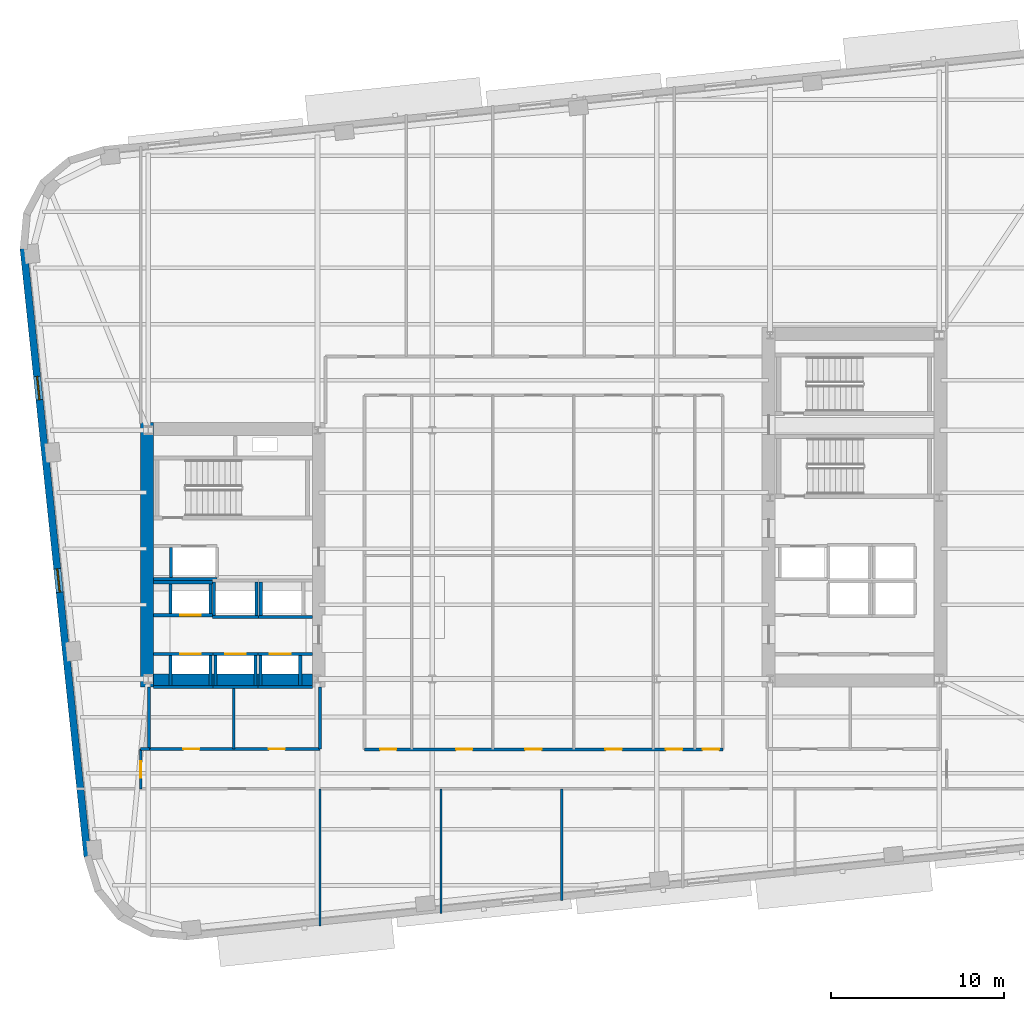
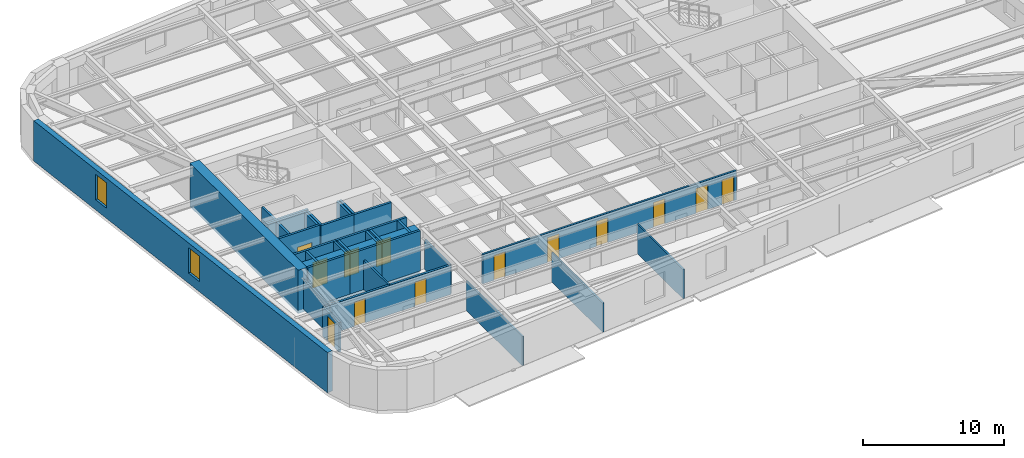
# One storey, part 4 of 13: 36 walls, 13 doors, 2 windows, 15 openings.
"""IFC4 building model written with IfcOpenShell, lengths in metres."""

from ifc_helpers import new_model, si_unit, direction, frame, frame_2d, origin, place, context, subcontext, project, spatial, rectangle, extrude, material, layer, layer_set, type_object, element, fill, save


model = new_model("IFC4")

# Units and contexts
model_context = context("Model", 3, precision=1e-05, world=origin(), true_north=direction((0.0, 1.0)))
body_context = subcontext(model_context, "Body", "Model", "MODEL_VIEW")
ifc_project = project(units=[si_unit("LENGTHUNIT", "METRE"), si_unit("AREAUNIT", "SQUARE_METRE"), si_unit("VOLUMEUNIT", "CUBIC_METRE"), si_unit("PLANEANGLEUNIT", "RADIAN"), si_unit("MASSUNIT", "GRAM", prefix="KILO")], contexts=[model_context])

# Site, building, storey
site_placement = place(None, origin())
site = spatial("IfcSite", under=ifc_project, at=site_placement, CompositionType="ELEMENT")
building_placement = place(site_placement, origin())
building = spatial("IfcBuilding", under=site, at=building_placement, Name="Kolvaren Arena Tower", CompositionType="ELEMENT")
storey_placement = place(building_placement, frame((0.0, 0.0, 145.75)))
storey = spatial("IfcBuildingStorey", under=building, at=storey_placement, Name="L34", CompositionType="ELEMENT", Elevation=145.75)

# Wall, openings, doors
ifc_material_1 = material(Name="Gypsum board acoustic assembly", Category="gypsum")
ifc_layer_1 = layer(ifc_material_1, 0.159912109375)
ifc_layer_set_1 = layer_set([ifc_layer_1], Name="Gypsum board acoustic assembly")
wall_type_1 = type_object("IfcWallType", Name="CORR-160", PredefinedType="PARTITIONING", material=ifc_layer_set_1)
wall_1_placement = place(storey_placement, frame((27.080078125, 15.3798828125, 0.0), z_axis=(0.0, 0.0, 1.0), x_axis=(1.0, 0.0, 0.0)))
wall_1 = element("IfcWall", 1, at=wall_1_placement, inside=storey, type_object=wall_type_1, Name="Interior Partition Wall (L34)", PredefinedType="PARTITIONING", context=body_context, shape_type="SweptSolid", body=[
    extrude(rectangle(XDim=20.739990234375, YDim=0.159912109375, at=frame_2d((10.3701171875, 0.0))), origin(), (0.0, 0.0, 1.0), 2.5400390625),
])
opening_1_placement = place(wall_1_placement, frame((0.89501953125, 0.0, 0.0)))
opening_1 = element("IfcOpeningElement", 2, at=opening_1_placement, cuts=wall_1, Name="Opening D05", PredefinedType="OPENING", context=body_context, shape_type="SweptSolid", body=[
    extrude(rectangle(XDim=0.949951171875, YDim=2.14990234375, at=frame_2d((0.47509765625, 1.074951171875))), frame((0.0, 0.08984375, 0.0), z_axis=(0.0, -1.0, 0.0), x_axis=(1.0, 0.0, 0.0)), (0.0, 0.0, 1.0), 0.179931640625),
])
opening_2_placement = place(wall_1_placement, frame((5.294921875, 0.0, 0.0)))
opening_2 = element("IfcOpeningElement", 3, at=opening_2_placement, cuts=wall_1, Name="Opening D05", PredefinedType="OPENING", context=body_context, shape_type="SweptSolid", body=[
    extrude(rectangle(XDim=0.949951171875, YDim=2.14990234375, at=frame_2d((0.47509765625, 1.074951171875))), frame((0.0, 0.08984375, 0.0), z_axis=(0.0, -1.0, 0.0), x_axis=(1.0, 0.0, 0.0)), (0.0, 0.0, 1.0), 0.179931640625),
])
opening_3_placement = place(wall_1_placement, frame((9.294921875, 0.0, 0.0)))
opening_3 = element("IfcOpeningElement", 4, at=opening_3_placement, cuts=wall_1, Name="Opening D05", PredefinedType="OPENING", context=body_context, shape_type="SweptSolid", body=[
    extrude(rectangle(XDim=0.949951171875, YDim=2.14990234375, at=frame_2d((0.47509765625, 1.074951171875))), frame((0.0, 0.08984375, 0.0), z_axis=(0.0, -1.0, 0.0), x_axis=(1.0, 0.0, 0.0)), (0.0, 0.0, 1.0), 0.179931640625),
])
opening_4_placement = place(wall_1_placement, frame((13.945068359375, 0.0, 0.0)))
opening_4 = element("IfcOpeningElement", 5, at=opening_4_placement, cuts=wall_1, Name="Opening D05", PredefinedType="OPENING", context=body_context, shape_type="SweptSolid", body=[
    extrude(rectangle(XDim=0.949951171875, YDim=2.14990234375, at=frame_2d((0.47509765625, 1.074951171875))), frame((0.0, 0.08984375, 0.0), z_axis=(0.0, -1.0, 0.0), x_axis=(1.0, 0.0, 0.0)), (0.0, 0.0, 1.0), 0.179931640625),
])
opening_5_placement = place(wall_1_placement, frame((17.445068359375, 0.0, 0.0)))
opening_5 = element("IfcOpeningElement", 6, at=opening_5_placement, cuts=wall_1, Name="Opening D05", PredefinedType="OPENING", context=body_context, shape_type="SweptSolid", body=[
    extrude(rectangle(XDim=0.949951171875, YDim=2.14990234375, at=frame_2d((0.47509765625, 1.074951171875))), frame((0.0, 0.08984375, 0.0), z_axis=(0.0, -1.0, 0.0), x_axis=(1.0, 0.0, 0.0)), (0.0, 0.0, 1.0), 0.179931640625),
])
opening_6_placement = place(wall_1_placement, frame((19.570068359375, 0.0, 0.0)))
opening_6 = element("IfcOpeningElement", 7, at=opening_6_placement, cuts=wall_1, Name="Opening D05", PredefinedType="OPENING", context=body_context, shape_type="SweptSolid", body=[
    extrude(rectangle(XDim=0.949951171875, YDim=2.14990234375, at=frame_2d((0.47509765625, 1.074951171875))), frame((0.0, 0.08984375, 0.0), z_axis=(0.0, -1.0, 0.0), x_axis=(1.0, 0.0, 0.0)), (0.0, 0.0, 1.0), 0.179931640625),
])
ifc_material_2 = material(Name="Solid-core oak acoustic office door", Category="wood")
door_type_1 = type_object("IfcDoorType", Name="DOOR-OF-095", OperationType="NOTDEFINED", PredefinedType="DOOR", material=ifc_material_2)
door_1_placement = place(opening_1_placement, origin())
door_1 = element("IfcDoor", 8, at=door_1_placement, inside=storey, type_object=door_type_1, Name="Training Seminar Room Door (L34)", OperationType="SINGLE_SWING_RIGHT", OverallHeight=2.14990234375, OverallWidth=0.949951171875, PredefinedType="DOOR", context=body_context, shape_type="SweptSolid", body=[
    extrude(rectangle(XDim=0.949951171875, YDim=2.14990234375, at=frame_2d((0.47509765625, 1.074951171875))), frame((0.0, 0.02490234375, 0.0), z_axis=(0.0, -1.0, 0.0), x_axis=(1.0, 0.0, 0.0)), (0.0, 0.0, 1.0), 0.050048828125),
])
fill(opening_1, door_1)
door_2_placement = place(opening_2_placement, origin())
door_2 = element("IfcDoor", 9, at=door_2_placement, inside=storey, type_object=door_type_1, Name="Training Seminar Room Door (L34)", OperationType="SINGLE_SWING_RIGHT", OverallHeight=2.14990234375, OverallWidth=0.949951171875, PredefinedType="DOOR", context=body_context, shape_type="SweptSolid", body=[
    extrude(rectangle(XDim=0.949951171875, YDim=2.14990234375, at=frame_2d((0.47509765625, 1.074951171875))), frame((0.0, 0.02490234375, 0.0), z_axis=(0.0, -1.0, 0.0), x_axis=(1.0, 0.0, 0.0)), (0.0, 0.0, 1.0), 0.050048828125),
])
fill(opening_2, door_2)
door_3_placement = place(opening_3_placement, origin())
door_3 = element("IfcDoor", 10, at=door_3_placement, inside=storey, type_object=door_type_1, Name="Boardroom Door (L34)", OperationType="SINGLE_SWING_RIGHT", OverallHeight=2.14990234375, OverallWidth=0.949951171875, PredefinedType="DOOR", context=body_context, shape_type="SweptSolid", body=[
    extrude(rectangle(XDim=0.949951171875, YDim=2.14990234375, at=frame_2d((0.47509765625, 1.074951171875))), frame((0.0, 0.02490234375, 0.0), z_axis=(0.0, -1.0, 0.0), x_axis=(1.0, 0.0, 0.0)), (0.0, 0.0, 1.0), 0.050048828125),
])
fill(opening_3, door_3)
door_4_placement = place(opening_4_placement, origin())
door_4 = element("IfcDoor", 11, at=door_4_placement, inside=storey, type_object=door_type_1, Name="Training Seminar Room Door (L34)", OperationType="SINGLE_SWING_RIGHT", OverallHeight=2.14990234375, OverallWidth=0.949951171875, PredefinedType="DOOR", context=body_context, shape_type="SweptSolid", body=[
    extrude(rectangle(XDim=0.949951171875, YDim=2.14990234375, at=frame_2d((0.47509765625, 1.074951171875))), frame((0.0, 0.02490234375, 0.0), z_axis=(0.0, -1.0, 0.0), x_axis=(1.0, 0.0, 0.0)), (0.0, 0.0, 1.0), 0.050048828125),
])
fill(opening_4, door_4)
door_5_placement = place(opening_5_placement, origin())
door_5 = element("IfcDoor", 12, at=door_5_placement, inside=storey, type_object=door_type_1, Name="Training Seminar Room Door (L34)", OperationType="SINGLE_SWING_RIGHT", OverallHeight=2.14990234375, OverallWidth=0.949951171875, PredefinedType="DOOR", context=body_context, shape_type="SweptSolid", body=[
    extrude(rectangle(XDim=0.949951171875, YDim=2.14990234375, at=frame_2d((0.47509765625, 1.074951171875))), frame((0.0, 0.02490234375, 0.0), z_axis=(0.0, -1.0, 0.0), x_axis=(1.0, 0.0, 0.0)), (0.0, 0.0, 1.0), 0.050048828125),
])
fill(opening_5, door_5)
door_6_placement = place(opening_6_placement, origin())
door_6 = element("IfcDoor", 13, at=door_6_placement, inside=storey, type_object=door_type_1, Name="Boardroom Door (L34)", OperationType="SINGLE_SWING_RIGHT", OverallHeight=2.14990234375, OverallWidth=0.949951171875, PredefinedType="DOOR", context=body_context, shape_type="SweptSolid", body=[
    extrude(rectangle(XDim=0.949951171875, YDim=2.14990234375, at=frame_2d((0.47509765625, 1.074951171875))), frame((0.0, 0.02490234375, 0.0), z_axis=(0.0, -1.0, 0.0), x_axis=(1.0, 0.0, 0.0)), (0.0, 0.0, 1.0), 0.050048828125),
])
fill(opening_6, door_6)

# Wall, opening, door
wall_2_placement = place(storey_placement, frame((14.1201171875, 13.10009765625, 0.0), z_axis=(0.0, 0.0, 1.0), x_axis=(0.0, 1.0, 0.0)))
wall_2 = element("IfcWall", 14, at=wall_2_placement, inside=storey, type_object=wall_type_1, Name="Interior Partition Wall (L34)", PredefinedType="PARTITIONING", context=body_context, shape_type="SweptSolid", body=[
    extrude(rectangle(XDim=2.2998046875, YDim=0.159912109375, at=frame_2d((1.14990234375, 0.0))), origin(), (0.0, 0.0, 1.0), 2.5400390625),
])
opening_7_placement = place(wall_2_placement, frame((0.64990234375, 0.0, 0.0)))
opening_7 = element("IfcOpeningElement", 15, at=opening_7_placement, cuts=wall_2, Name="Opening D05", PredefinedType="OPENING", context=body_context, shape_type="SweptSolid", body=[
    extrude(rectangle(XDim=0.949951171875, YDim=2.14990234375, at=frame_2d((0.47509765625, 1.074951171875))), frame((0.0, 0.08984375, 0.0), z_axis=(0.0, -1.0, 0.0), x_axis=(1.0, 0.0, 0.0)), (0.0, 0.0, 1.0), 0.179931640625),
])
door_7_placement = place(opening_7_placement, origin())
door_7 = element("IfcDoor", 16, at=door_7_placement, inside=storey, type_object=door_type_1, Name="West Wing Office Door (L34)", OperationType="SINGLE_SWING_LEFT", OverallHeight=2.14990234375, OverallWidth=0.949951171875, PredefinedType="DOOR", context=body_context, shape_type="SweptSolid", body=[
    extrude(rectangle(XDim=0.949951171875, YDim=2.14990234375, at=frame_2d((0.47509765625, 1.074951171875))), frame((0.0, 0.02490234375, 0.0), z_axis=(0.0, -1.0, 0.0), x_axis=(1.0, 0.0, 0.0)), (0.0, 0.0, 1.0), 0.050048828125),
])
fill(opening_7, door_7)

# Walls
wall_3_placement = place(storey_placement, frame((14.1201171875, 15.39990234375, 0.0), z_axis=(0.0, 0.0, 1.0), x_axis=(1.0, 0.0, 0.0)))
element("IfcWall", 17, at=wall_3_placement, inside=storey, type_object=wall_type_1, Name="Interior Partition Wall (L34)", PredefinedType="PARTITIONING", context=body_context, shape_type="SweptSolid", body=[
    extrude(rectangle(XDim=0.5, YDim=0.159912109375, at=frame_2d((0.25, 0.0))), origin(), (0.0, 0.0, 1.0), 2.5400390625),
])
ifc_material_3 = material(Name="Concrete 70 MPa", Category="concrete")
ifc_layer_2 = layer(ifc_material_3, 0.75)
ifc_layer_set_2 = layer_set([ifc_layer_2], Name="Concrete 70 MPa")
wall_type_2 = type_object("IfcWallType", Name="CWALL-750", PredefinedType="SHEAR", material=ifc_layer_set_2)
wall_4_placement = place(storey_placement, frame((14.47509765625, 19.0, -0.27001953125), z_axis=(0.0, 0.0, 1.0), x_axis=(0.0, 1.0, 0.0)))
element("IfcWall", 18, at=wall_4_placement, inside=storey, type_object=wall_type_2, Name="Core Shear Wall WC-WEST (L34)", PredefinedType="SHEAR", context=body_context, shape_type="SweptSolid", body=[
    extrude(rectangle(XDim=15.300048828125, YDim=0.75, at=frame_2d((7.64990234375, 0.0))), origin(), (0.0, 0.0, 1.0), 3.75),
])
wall_5_placement = place(storey_placement, frame((14.85009765625, 19.375, -0.27001953125), z_axis=(0.0, 0.0, 1.0), x_axis=(1.0, 0.0, 0.0)))
element("IfcWall", 19, at=wall_5_placement, inside=storey, type_object=wall_type_2, Name="Core Shear Wall WC-SOUTH (L34)", PredefinedType="SHEAR", context=body_context, shape_type="SweptSolid", body=[
    extrude(rectangle(XDim=9.199951171875, YDim=0.75, at=frame_2d((4.60009765625, 0.0))), origin(), (0.0, 0.0, 1.0), 3.75),
])

# Wall, openings, windows
ifc_material_4 = material(Name="Precast concrete C50/60", Category="concrete")
ifc_layer_3 = layer(ifc_material_4, 0.419921875)
ifc_layer_set_3 = layer_set([ifc_layer_3], Name="Precast concrete C50/60")
wall_type_3 = type_object("IfcWallType", Name="EXT-PIER1", PredefinedType="SOLIDWALL", material=ifc_layer_set_3)
wall_6_placement = place(storey_placement, frame((11.039794921875, 9.16943359375, 0.0), z_axis=(0.0, 0.0, 1.0), x_axis=(-0.104532207177, 0.99452150186, 0.0)))
wall_6 = element("IfcWall", 20, at=wall_6_placement, inside=storey, type_object=wall_type_3, Name="Exterior Precast Masonry-Frame Wall (L34)", PredefinedType="SOLIDWALL", context=body_context, shape_type="SweptSolid", body=[
    extrude(rectangle(XDim=35.39990234375, YDim=0.419921875, at=frame_2d((17.699951171875, 0.0))), origin(), (0.0, 0.0, 1.0), 3.47998046875),
])
opening_8_placement = place(wall_6_placement, frame((15.39990234375, 0.0, 0.8798828125)))
opening_8 = element("IfcOpeningElement", 21, at=opening_8_placement, cuts=wall_6, Name="Opening W04", PredefinedType="OPENING", context=body_context, shape_type="SweptSolid", body=[
    extrude(rectangle(XDim=1.35009765625, YDim=2.199951171875, at=frame_2d((0.675048828125, 1.10009765625))), frame((0.0, 0.219970703125, 0.0), z_axis=(0.0, -1.0, 0.0), x_axis=(1.0, 0.0, 0.0)), (0.0, 0.0, 1.0), 0.43994140625),
])
opening_9_placement = place(wall_6_placement, frame((26.60009765625, 0.0, 0.8798828125)))
opening_9 = element("IfcOpeningElement", 22, at=opening_9_placement, cuts=wall_6, Name="Opening W04", PredefinedType="OPENING", context=body_context, shape_type="SweptSolid", body=[
    extrude(rectangle(XDim=1.35009765625, YDim=2.199951171875, at=frame_2d((0.675048828125, 1.10009765625))), frame((0.0, 0.219970703125, 0.0), z_axis=(0.0, -1.0, 0.0), x_axis=(1.0, 0.0, 0.0)), (0.0, 0.0, 1.0), 0.43994140625),
])
ifc_material_5 = material(Name="Triple-glazed curved-facet corner window", Category="glass")
window_type = type_object("IfcWindowType", Name="WIN-CRN-A", PartitioningType="SINGLE_PANEL", PredefinedType="WINDOW", material=ifc_material_5)
window_1_placement = place(opening_8_placement, origin())
window_1 = element("IfcWindow", 23, at=window_1_placement, inside=storey, type_object=window_type, Name="End-Wall Punched Window (L34)", OverallHeight=2.199951171875, OverallWidth=1.35009765625, PartitioningType="SINGLE_PANEL", PredefinedType="WINDOW", context=body_context, shape_type="SweptSolid", body=[
    extrude(rectangle(XDim=1.35009765625, YDim=2.199951171875, at=frame_2d((0.675048828125, 1.10009765625))), frame((0.0, 0.030029296875, 0.0), z_axis=(0.0, -1.0, 0.0), x_axis=(1.0, 0.0, 0.0)), (0.0, 0.0, 1.0), 0.06005859375),
])
fill(opening_8, window_1)
window_2_placement = place(opening_9_placement, origin())
window_2 = element("IfcWindow", 24, at=window_2_placement, inside=storey, type_object=window_type, Name="End-Wall Punched Window (L34)", OverallHeight=2.199951171875, OverallWidth=1.35009765625, PartitioningType="SINGLE_PANEL", PredefinedType="WINDOW", context=body_context, shape_type="SweptSolid", body=[
    extrude(rectangle(XDim=1.35009765625, YDim=2.199951171875, at=frame_2d((0.675048828125, 1.10009765625))), frame((0.0, 0.030029296875, 0.0), z_axis=(0.0, -1.0, 0.0), x_axis=(1.0, 0.0, 0.0)), (0.0, 0.0, 1.0), 0.06005859375),
])
fill(opening_9, window_2)

# Walls
ifc_material_6 = material(Name="Gypsum board partition assembly", Category="gypsum")
ifc_layer_4 = layer(ifc_material_6, 0.135009765625)
ifc_layer_set_4 = layer_set([ifc_layer_4], Name="Gypsum board partition assembly")
wall_type_4 = type_object("IfcWallType", Name="PART-135", PredefinedType="PARTITIONING", material=ifc_layer_set_4)
wall_7_placement = place(storey_placement, frame((24.5, 5.154541015625, 0.0), z_axis=(0.0, 0.0, 1.0), x_axis=(0.0, 1.0, 0.0)))
element("IfcWall", 25, at=wall_7_placement, inside=storey, type_object=wall_type_4, Name="Interior Partition Wall (L34)", PredefinedType="PARTITIONING", context=body_context, shape_type="SweptSolid", body=[
    extrude(rectangle(XDim=7.945556640625, YDim=0.135009765625, at=frame_2d((3.97265625, 0.0))), origin(), (0.0, 0.0, 1.0), 2.5400390625),
])
wall_8_placement = place(storey_placement, frame((31.5, 5.89013671875, 0.0), z_axis=(0.0, 0.0, 1.0), x_axis=(0.0, 1.0, 0.0)))
element("IfcWall", 26, at=wall_8_placement, inside=storey, type_object=wall_type_4, Name="Interior Partition Wall (L34)", PredefinedType="PARTITIONING", context=body_context, shape_type="SweptSolid", body=[
    extrude(rectangle(XDim=7.2099609375, YDim=0.135009765625, at=frame_2d((3.60498046875, 0.0))), origin(), (0.0, 0.0, 1.0), 2.5400390625),
])
wall_9_placement = place(storey_placement, frame((38.5, 6.6259765625, 0.0), z_axis=(0.0, 0.0, 1.0), x_axis=(0.0, 1.0, 0.0)))
element("IfcWall", 27, at=wall_9_placement, inside=storey, type_object=wall_type_4, Name="Interior Partition Wall (L34)", PredefinedType="PARTITIONING", context=body_context, shape_type="SweptSolid", body=[
    extrude(rectangle(XDim=6.47412109375, YDim=0.135009765625, at=frame_2d((3.237060546875, 0.0))), origin(), (0.0, 0.0, 1.0), 2.5400390625),
])

# Wall, opening, door
ifc_material_7 = material(Name="Concrete 45 MPa", Category="concrete")
ifc_layer_5 = layer(ifc_material_7, 0.25)
ifc_layer_set_5 = layer_set([ifc_layer_5], Name="Concrete 45 MPa")
wall_type_5 = type_object("IfcWallType", Name="SHAFT-250", PredefinedType="SOLIDWALL", material=ifc_layer_set_5)
wall_10_placement = place(storey_placement, frame((14.85009765625, 20.905029296875, 0.0), z_axis=(0.0, 0.0, 1.0), x_axis=(1.0, 0.0, 0.0)))
wall_10 = element("IfcWall", 28, at=wall_10_placement, inside=storey, type_object=wall_type_5, Name="Core Shaft Wall (L34)", PredefinedType="SOLIDWALL", context=body_context, shape_type="SweptSolid", body=[
    extrude(rectangle(XDim=3.449951171875, YDim=0.179931640625, at=frame_2d((1.72509765625, 0.0))), origin(), (0.0, 0.0, 1.0), 3.47998046875),
])
opening_10_placement = place(wall_10_placement, frame((1.550048828125, 0.0, 0.0)))
opening_10 = element("IfcOpeningElement", 29, at=opening_10_placement, cuts=wall_10, Name="Opening LD1", PredefinedType="OPENING", context=body_context, shape_type="SweptSolid", body=[
    extrude(rectangle(XDim=1.199951171875, YDim=2.199951171875, at=frame_2d((0.60009765625, 1.10009765625))), frame((0.0, 0.099853515625, 0.0), z_axis=(0.0, -1.0, 0.0), x_axis=(1.0, 0.0, 0.0)), (0.0, 0.0, 1.0), 0.199951171875),
])
ifc_material_8 = material(Name="Stainless steel passenger lift landing door", Category="steel")
door_type_2 = type_object("IfcDoorType", Name="DOOR-LD-120", OperationType="DOUBLE_DOOR_SLIDING", PredefinedType="DOOR", material=ifc_material_8)
door_8_placement = place(opening_10_placement, origin())
door_8 = element("IfcDoor", 30, at=door_8_placement, inside=storey, type_object=door_type_2, Name="Lift EL-MR1 Landing Door (L34)", OperationType="DOUBLE_DOOR_SLIDING", OverallHeight=2.199951171875, OverallWidth=1.199951171875, PredefinedType="DOOR", context=body_context, shape_type="SweptSolid", body=[
    extrude(rectangle(XDim=1.199951171875, YDim=2.199951171875, at=frame_2d((0.60009765625, 1.10009765625))), frame((0.0, 0.02490234375, 0.0), z_axis=(0.0, -1.0, 0.0), x_axis=(1.0, 0.0, 0.0)), (0.0, 0.0, 1.0), 0.050048828125),
])
fill(opening_10, door_8)

# Walls
wall_11_placement = place(storey_placement, frame((14.85009765625, 18.9951171875, 0.0), z_axis=(0.0, 0.0, 1.0), x_axis=(1.0, 0.0, 0.0)))
element("IfcWall", 31, at=wall_11_placement, inside=storey, type_object=wall_type_5, Name="Core Shaft Wall (L34)", PredefinedType="SOLIDWALL", context=body_context, shape_type="SweptSolid", body=[
    extrude(rectangle(XDim=3.449951171875, YDim=0.179931640625, at=frame_2d((1.72509765625, 0.0))), origin(), (0.0, 0.0, 1.0), 3.47998046875),
])
for number, where, z_axis, x_axis, name in (
    (32, (15.844970703125, 19.0849609375, 0.0), (0.0, 0.0, 1.0), (0.0, 1.0, 0.0), "Core Shaft Wall (L34)"),
    (33, (18.155029296875, 19.0849609375, 0.0), (0.0, 0.0, 1.0), (0.0, 1.0, 0.0), "Core Shaft Wall (L34)"),
):
    element("IfcWall", number, at=place(storey_placement, frame(where, z_axis=z_axis, x_axis=x_axis)), inside=storey, type_object=wall_type_5, Name=name, PredefinedType="SOLIDWALL", context=body_context, shape_type="SweptSolid", body=[
        extrude(rectangle(XDim=1.72998046875, YDim=0.179931640625, at=frame_2d((0.864990234375, 0.0))), origin(), (0.0, 0.0, 1.0), 3.47998046875),
    ])

# Wall, opening, door
wall_12_placement = place(storey_placement, frame((18.300048828125, 20.905029296875, 0.0), z_axis=(0.0, 0.0, 1.0), x_axis=(1.0, 0.0, 0.0)))
wall_12 = element("IfcWall", 34, at=wall_12_placement, inside=storey, type_object=wall_type_5, Name="Core Shaft Wall (L34)", PredefinedType="SOLIDWALL", context=body_context, shape_type="SweptSolid", body=[
    extrude(rectangle(XDim=2.599853515625, YDim=0.179931640625, at=frame_2d((1.2998046875, 0.0))), origin(), (0.0, 0.0, 1.0), 3.47998046875),
])
opening_11_placement = place(wall_12_placement, frame((0.699951171875, 0.0, 0.0)))
opening_11 = element("IfcOpeningElement", 35, at=opening_11_placement, cuts=wall_12, Name="Opening LD1", PredefinedType="OPENING", context=body_context, shape_type="SweptSolid", body=[
    extrude(rectangle(XDim=1.199951171875, YDim=2.199951171875, at=frame_2d((0.60009765625, 1.10009765625))), frame((0.0, 0.099853515625, 0.0), z_axis=(0.0, -1.0, 0.0), x_axis=(1.0, 0.0, 0.0)), (0.0, 0.0, 1.0), 0.199951171875),
])
door_9_placement = place(opening_11_placement, origin())
door_9 = element("IfcDoor", 36, at=door_9_placement, inside=storey, type_object=door_type_2, Name="Lift EL-MR2 Landing Door (L34)", OperationType="DOUBLE_DOOR_SLIDING", OverallHeight=2.199951171875, OverallWidth=1.199951171875, PredefinedType="DOOR", context=body_context, shape_type="SweptSolid", body=[
    extrude(rectangle(XDim=1.199951171875, YDim=2.199951171875, at=frame_2d((0.60009765625, 1.10009765625))), frame((0.0, 0.02490234375, 0.0), z_axis=(0.0, -1.0, 0.0), x_axis=(1.0, 0.0, 0.0)), (0.0, 0.0, 1.0), 0.050048828125),
])
fill(opening_11, door_9)

# Walls
wall_13_placement = place(storey_placement, frame((18.300048828125, 18.9951171875, 0.0), z_axis=(0.0, 0.0, 1.0), x_axis=(1.0, 0.0, 0.0)))
element("IfcWall", 37, at=wall_13_placement, inside=storey, type_object=wall_type_5, Name="Core Shaft Wall (L34)", PredefinedType="SOLIDWALL", context=body_context, shape_type="SweptSolid", body=[
    extrude(rectangle(XDim=2.599853515625, YDim=0.179931640625, at=frame_2d((1.2998046875, 0.0))), origin(), (0.0, 0.0, 1.0), 3.47998046875),
])
for number, where, z_axis, x_axis, name in (
    (38, (18.445068359375, 19.0849609375, 0.0), (0.0, 0.0, 1.0), (0.0, 1.0, 0.0), "Core Shaft Wall (L34)"),
    (39, (20.7548828125, 19.0849609375, 0.0), (0.0, 0.0, 1.0), (0.0, 1.0, 0.0), "Core Shaft Wall (L34)"),
):
    element("IfcWall", number, at=place(storey_placement, frame(where, z_axis=z_axis, x_axis=x_axis)), inside=storey, type_object=wall_type_5, Name=name, PredefinedType="SOLIDWALL", context=body_context, shape_type="SweptSolid", body=[
        extrude(rectangle(XDim=1.72998046875, YDim=0.179931640625, at=frame_2d((0.864990234375, 0.0))), origin(), (0.0, 0.0, 1.0), 3.47998046875),
    ])

# Wall, opening, door
wall_14_placement = place(storey_placement, frame((20.89990234375, 20.905029296875, 0.0), z_axis=(0.0, 0.0, 1.0), x_axis=(1.0, 0.0, 0.0)))
wall_14 = element("IfcWall", 40, at=wall_14_placement, inside=storey, type_object=wall_type_5, Name="Core Shaft Wall (L34)", PredefinedType="SOLIDWALL", context=body_context, shape_type="SweptSolid", body=[
    extrude(rectangle(XDim=3.150146484375, YDim=0.179931640625, at=frame_2d((1.5751953125, 0.0))), origin(), (0.0, 0.0, 1.0), 3.47998046875),
])
opening_12_placement = place(wall_14_placement, frame((0.699951171875, 0.0, 0.0)))
opening_12 = element("IfcOpeningElement", 41, at=opening_12_placement, cuts=wall_14, Name="Opening LD1", PredefinedType="OPENING", context=body_context, shape_type="SweptSolid", body=[
    extrude(rectangle(XDim=1.199951171875, YDim=2.199951171875, at=frame_2d((0.60009765625, 1.10009765625))), frame((0.0, 0.099853515625, 0.0), z_axis=(0.0, -1.0, 0.0), x_axis=(1.0, 0.0, 0.0)), (0.0, 0.0, 1.0), 0.199951171875),
])
door_10_placement = place(opening_12_placement, origin())
door_10 = element("IfcDoor", 42, at=door_10_placement, inside=storey, type_object=door_type_2, Name="Lift EL-MR3 Landing Door (L34)", OperationType="DOUBLE_DOOR_SLIDING", OverallHeight=2.199951171875, OverallWidth=1.199951171875, PredefinedType="DOOR", context=body_context, shape_type="SweptSolid", body=[
    extrude(rectangle(XDim=1.199951171875, YDim=2.199951171875, at=frame_2d((0.60009765625, 1.10009765625))), frame((0.0, 0.02490234375, 0.0), z_axis=(0.0, -1.0, 0.0), x_axis=(1.0, 0.0, 0.0)), (0.0, 0.0, 1.0), 0.050048828125),
])
fill(opening_12, door_10)

# Walls
wall_15_placement = place(storey_placement, frame((20.89990234375, 18.9951171875, 0.0), z_axis=(0.0, 0.0, 1.0), x_axis=(1.0, 0.0, 0.0)))
element("IfcWall", 43, at=wall_15_placement, inside=storey, type_object=wall_type_5, Name="Core Shaft Wall (L34)", PredefinedType="SOLIDWALL", context=body_context, shape_type="SweptSolid", body=[
    extrude(rectangle(XDim=3.150146484375, YDim=0.179931640625, at=frame_2d((1.5751953125, 0.0))), origin(), (0.0, 0.0, 1.0), 3.47998046875),
])
for number, where, z_axis, x_axis, name in (
    (44, (21.044921875, 19.0849609375, 0.0), (0.0, 0.0, 1.0), (0.0, 1.0, 0.0), "Core Shaft Wall (L34)"),
    (45, (23.35498046875, 19.0849609375, 0.0), (0.0, 0.0, 1.0), (0.0, 1.0, 0.0), "Core Shaft Wall (L34)"),
):
    element("IfcWall", number, at=place(storey_placement, frame(where, z_axis=z_axis, x_axis=x_axis)), inside=storey, type_object=wall_type_5, Name=name, PredefinedType="SOLIDWALL", context=body_context, shape_type="SweptSolid", body=[
        extrude(rectangle(XDim=1.72998046875, YDim=0.179931640625, at=frame_2d((0.864990234375, 0.0))), origin(), (0.0, 0.0, 1.0), 3.47998046875),
    ])
wall_16_placement = place(storey_placement, frame((14.85009765625, 25.054931640625, 0.0), z_axis=(0.0, 0.0, 1.0), x_axis=(1.0, 0.0, 0.0)))
element("IfcWall", 46, at=wall_16_placement, inside=storey, type_object=wall_type_5, Name="Core Shaft Wall (L34)", PredefinedType="SOLIDWALL", context=body_context, shape_type="SweptSolid", body=[
    extrude(rectangle(XDim=3.412353515625, YDim=0.179931640625, at=frame_2d((1.7060546875, 0.0))), origin(), (0.0, 0.0, 1.0), 3.47998046875),
])

# Wall, opening, door
wall_17_placement = place(storey_placement, frame((14.85009765625, 23.14501953125, 0.0), z_axis=(0.0, 0.0, 1.0), x_axis=(1.0, 0.0, 0.0)))
wall_17 = element("IfcWall", 47, at=wall_17_placement, inside=storey, type_object=wall_type_5, Name="Core Shaft Wall (L34)", PredefinedType="SOLIDWALL", context=body_context, shape_type="SweptSolid", body=[
    extrude(rectangle(XDim=3.412353515625, YDim=0.179931640625, at=frame_2d((1.7060546875, 0.0))), origin(), (0.0, 0.0, 1.0), 3.47998046875),
])
opening_13_placement = place(wall_17_placement, frame((1.550048828125, 0.0, 0.0)))
opening_13 = element("IfcOpeningElement", 48, at=opening_13_placement, cuts=wall_17, Name="Opening LD1", PredefinedType="OPENING", context=body_context, shape_type="SweptSolid", body=[
    extrude(rectangle(XDim=1.199951171875, YDim=2.199951171875, at=frame_2d((0.60009765625, 1.10009765625))), frame((0.0, 0.099853515625, 0.0), z_axis=(0.0, -1.0, 0.0), x_axis=(1.0, 0.0, 0.0)), (0.0, 0.0, 1.0), 0.199951171875),
])
door_11_placement = place(opening_13_placement, origin())
door_11 = element("IfcDoor", 49, at=door_11_placement, inside=storey, type_object=door_type_2, Name="Lift EL-MR4 Landing Door (L34)", OperationType="DOUBLE_DOOR_SLIDING", OverallHeight=2.199951171875, OverallWidth=1.199951171875, PredefinedType="DOOR", context=body_context, shape_type="SweptSolid", body=[
    extrude(rectangle(XDim=1.199951171875, YDim=2.199951171875, at=frame_2d((0.60009765625, 1.10009765625))), frame((0.0, 0.02490234375, 0.0), z_axis=(0.0, -1.0, 0.0), x_axis=(1.0, 0.0, 0.0)), (0.0, 0.0, 1.0), 0.050048828125),
])
fill(opening_13, door_11)

# Walls
for number, where, z_axis, x_axis, name in (
    (50, (15.844970703125, 23.235107421875, 0.0), (0.0, 0.0, 1.0), (0.0, 1.0, 0.0), "Core Shaft Wall (L34)"),
    (51, (18.155029296875, 23.235107421875, 0.0), (0.0, 0.0, 1.0), (0.0, 1.0, 0.0), "Core Shaft Wall (L34)"),
):
    element("IfcWall", number, at=place(storey_placement, frame(where, z_axis=z_axis, x_axis=x_axis)), inside=storey, type_object=wall_type_5, Name=name, PredefinedType="SOLIDWALL", context=body_context, shape_type="SweptSolid", body=[
        extrude(rectangle(XDim=1.72998046875, YDim=0.179931640625, at=frame_2d((0.864990234375, 0.0))), origin(), (0.0, 0.0, 1.0), 3.47998046875),
    ])
wall_18_placement = place(storey_placement, frame((18.262451171875, 23.044921875, 0.0), z_axis=(0.0, 0.0, 1.0), x_axis=(1.0, 0.0, 0.0)))
element("IfcWall", 52, at=wall_18_placement, inside=storey, type_object=wall_type_5, Name="Core Shaft Wall (L34)", PredefinedType="SOLIDWALL", context=body_context, shape_type="SweptSolid", body=[
    extrude(rectangle(XDim=2.6875, YDim=0.179931640625, at=frame_2d((1.34375, 0.0))), origin(), (0.0, 0.0, 1.0), 3.47998046875),
])
for number, where, z_axis, x_axis, name in (
    (53, (18.3701171875, 23.135009765625, 0.0), (0.0, 0.0, 1.0), (0.0, 1.0, 0.0), "Core Shaft Wall (L34)"),
    (54, (20.830078125, 23.135009765625, 0.0), (0.0, 0.0, 1.0), (0.0, 1.0, 0.0), "Core Shaft Wall (L34)"),
):
    element("IfcWall", number, at=place(storey_placement, frame(where, z_axis=z_axis, x_axis=x_axis)), inside=storey, type_object=wall_type_5, Name=name, PredefinedType="SOLIDWALL", context=body_context, shape_type="SweptSolid", body=[
        extrude(rectangle(XDim=1.929931640625, YDim=0.179931640625, at=frame_2d((0.96484375, 0.0))), origin(), (0.0, 0.0, 1.0), 3.47998046875),
    ])
wall_19_placement = place(storey_placement, frame((20.949951171875, 23.044921875, 0.0), z_axis=(0.0, 0.0, 1.0), x_axis=(1.0, 0.0, 0.0)))
element("IfcWall", 55, at=wall_19_placement, inside=storey, type_object=wall_type_5, Name="Core Shaft Wall (L34)", PredefinedType="SOLIDWALL", context=body_context, shape_type="SweptSolid", body=[
    extrude(rectangle(XDim=3.10009765625, YDim=0.179931640625, at=frame_2d((1.550048828125, 0.0))), origin(), (0.0, 0.0, 1.0), 3.47998046875),
])
wall_20_placement = place(storey_placement, frame((21.070068359375, 23.135009765625, 0.0), z_axis=(0.0, 0.0, 1.0), x_axis=(0.0, 1.0, 0.0)))
element("IfcWall", 56, at=wall_20_placement, inside=storey, type_object=wall_type_5, Name="Core Shaft Wall (L34)", PredefinedType="SOLIDWALL", context=body_context, shape_type="SweptSolid", body=[
    extrude(rectangle(XDim=1.929931640625, YDim=0.179931640625, at=frame_2d((0.96484375, 0.0))), origin(), (0.0, 0.0, 1.0), 3.47998046875),
])
wall_21_placement = place(storey_placement, frame((14.85009765625, 25.2451171875, 0.0), z_axis=(0.0, 0.0, 1.0), x_axis=(1.0, 0.0, 0.0)))
element("IfcWall", 57, at=wall_21_placement, inside=storey, type_object=wall_type_5, Name="Core Shaft Wall (L34)", PredefinedType="SOLIDWALL", context=body_context, shape_type="SweptSolid", body=[
    extrude(rectangle(XDim=3.679931640625, YDim=0.179931640625, at=frame_2d((1.83984375, 0.0))), origin(), (0.0, 0.0, 1.0), 3.47998046875),
])
wall_22_placement = place(storey_placement, frame((15.8701171875, 25.3349609375, 0.0), z_axis=(0.0, 0.0, 1.0), x_axis=(0.0, 1.0, 0.0)))
element("IfcWall", 58, at=wall_22_placement, inside=storey, type_object=wall_type_5, Name="Core Shaft Wall (L34)", PredefinedType="SOLIDWALL", context=body_context, shape_type="SweptSolid", body=[
    extrude(rectangle(XDim=1.72998046875, YDim=0.179931640625, at=frame_2d((0.864990234375, 0.0))), origin(), (0.0, 0.0, 1.0), 3.47998046875),
])
ifc_material_9 = material(Name="Moisture-resistant gypsum assembly", Category="gypsum")
ifc_layer_6 = layer(ifc_material_9, 0.14990234375)
ifc_layer_set_6 = layer_set([ifc_layer_6], Name="Moisture-resistant gypsum assembly")
wall_type_6 = type_object("IfcWallType", Name="WETW-150", PredefinedType="PARTITIONING", material=ifc_layer_set_6)
wall_23_placement = place(storey_placement, frame((19.5, 15.39990234375, 0.0), z_axis=(0.0, 0.0, 1.0), x_axis=(0.0, 1.0, 0.0)))
element("IfcWall", 59, at=wall_23_placement, inside=storey, type_object=wall_type_6, Name="Interior Partition Wall (L34)", PredefinedType="PARTITIONING", context=body_context, shape_type="SweptSolid", body=[
    extrude(rectangle(XDim=3.580078125, YDim=0.14990234375, at=frame_2d((1.7900390625, 0.0))), origin(), (0.0, 0.0, 1.0), 2.5400390625),
])

# Wall, openings, doors
wall_24_placement = place(storey_placement, frame((14.60009765625, 15.39990234375, 0.0), z_axis=(0.0, 0.0, 1.0), x_axis=(1.0, 0.0, 0.0)))
wall_24 = element("IfcWall", 60, at=wall_24_placement, inside=storey, type_object=wall_type_6, Name="Interior Partition Wall (L34)", PredefinedType="PARTITIONING", context=body_context, shape_type="SweptSolid", body=[
    extrude(rectangle(XDim=9.89990234375, YDim=0.179931640625, at=frame_2d((4.949951171875, 0.0))), origin(), (0.0, 0.0, 1.0), 2.5400390625),
])
opening_14_placement = place(wall_24_placement, frame((1.989990234375, 0.0, 0.0)))
opening_14 = element("IfcOpeningElement", 61, at=opening_14_placement, cuts=wall_24, Name="Opening D07", PredefinedType="OPENING", context=body_context, shape_type="SweptSolid", body=[
    extrude(rectangle(XDim=0.919921875, YDim=2.10009765625, at=frame_2d((0.4599609375, 1.050048828125))), frame((0.0, 0.099853515625, 0.0), z_axis=(0.0, -1.0, 0.0), x_axis=(1.0, 0.0, 0.0)), (0.0, 0.0, 1.0), 0.199951171875),
])
opening_15_placement = place(wall_24_placement, frame((6.93994140625, 0.0, 0.0)))
opening_15 = element("IfcOpeningElement", 62, at=opening_15_placement, cuts=wall_24, Name="Opening D07", PredefinedType="OPENING", context=body_context, shape_type="SweptSolid", body=[
    extrude(rectangle(XDim=0.919921875, YDim=2.10009765625, at=frame_2d((0.4599609375, 1.050048828125))), frame((0.0, 0.099853515625, 0.0), z_axis=(0.0, -1.0, 0.0), x_axis=(1.0, 0.0, 0.0)), (0.0, 0.0, 1.0), 0.199951171875),
])
ifc_material_10 = material(Name="Laminate universal washroom door", Category="wood")
door_type_3 = type_object("IfcDoorType", Name="DOOR-WC-092", OperationType="NOTDEFINED", PredefinedType="DOOR", material=ifc_material_10)
door_12_placement = place(opening_14_placement, origin())
door_12 = element("IfcDoor", 63, at=door_12_placement, inside=storey, type_object=door_type_3, Name="Universal Barrier-Free Washroom Door (L34)", OperationType="SINGLE_SWING_RIGHT", OverallHeight=2.10009765625, OverallWidth=0.919921875, PredefinedType="DOOR", context=body_context, shape_type="SweptSolid", body=[
    extrude(rectangle(XDim=0.919921875, YDim=2.10009765625, at=frame_2d((0.4599609375, 1.050048828125))), frame((0.0, 0.02490234375, 0.0), z_axis=(0.0, -1.0, 0.0), x_axis=(1.0, 0.0, 0.0)), (0.0, 0.0, 1.0), 0.050048828125),
])
fill(opening_14, door_12)
door_13_placement = place(opening_15_placement, origin())
door_13 = element("IfcDoor", 64, at=door_13_placement, inside=storey, type_object=door_type_3, Name="Gender-Neutral Washroom Door (L34)", OperationType="SINGLE_SWING_LEFT", OverallHeight=2.10009765625, OverallWidth=0.919921875, PredefinedType="DOOR", context=body_context, shape_type="SweptSolid", body=[
    extrude(rectangle(XDim=0.919921875, YDim=2.10009765625, at=frame_2d((0.4599609375, 1.050048828125))), frame((0.0, 0.02490234375, 0.0), z_axis=(0.0, -1.0, 0.0), x_axis=(1.0, 0.0, 0.0)), (0.0, 0.0, 1.0), 0.050048828125),
])
fill(opening_15, door_13)

# Walls
for number, where, z_axis, x_axis, name in (
    (65, (14.60009765625, 15.39990234375, 0.0), (0.0, 0.0, 1.0), (0.0, 1.0, 0.0), "Interior Partition Wall (L34)"),
    (66, (24.5, 15.39990234375, 0.0), (0.0, 0.0, 1.0), (0.0, 1.0, 0.0), "Interior Partition Wall (L34)"),
):
    element("IfcWall", number, at=place(storey_placement, frame(where, z_axis=z_axis, x_axis=x_axis)), inside=storey, type_object=wall_type_6, Name=name, PredefinedType="PARTITIONING", context=body_context, shape_type="SweptSolid", body=[
        extrude(rectangle(XDim=3.580078125, YDim=0.14990234375, at=frame_2d((1.7900390625, 0.0))), origin(), (0.0, 0.0, 1.0), 2.5400390625),
    ])

save(model, "model.ifc")
